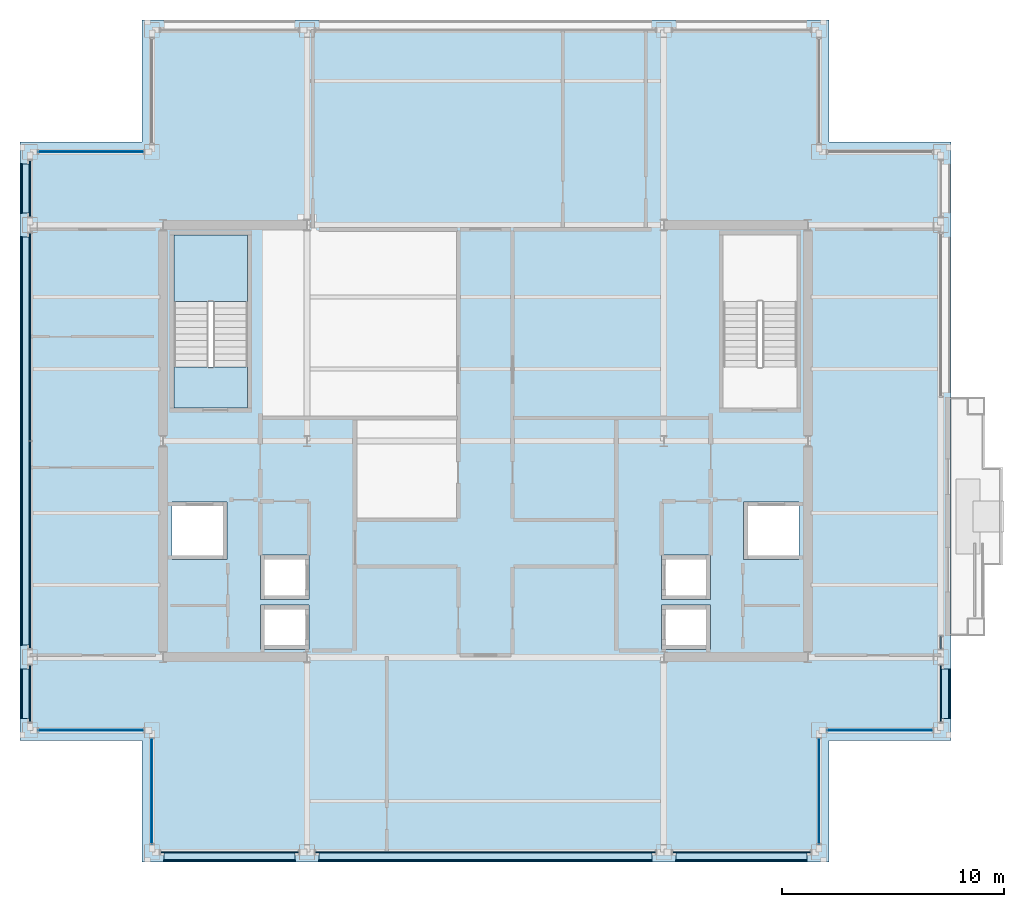
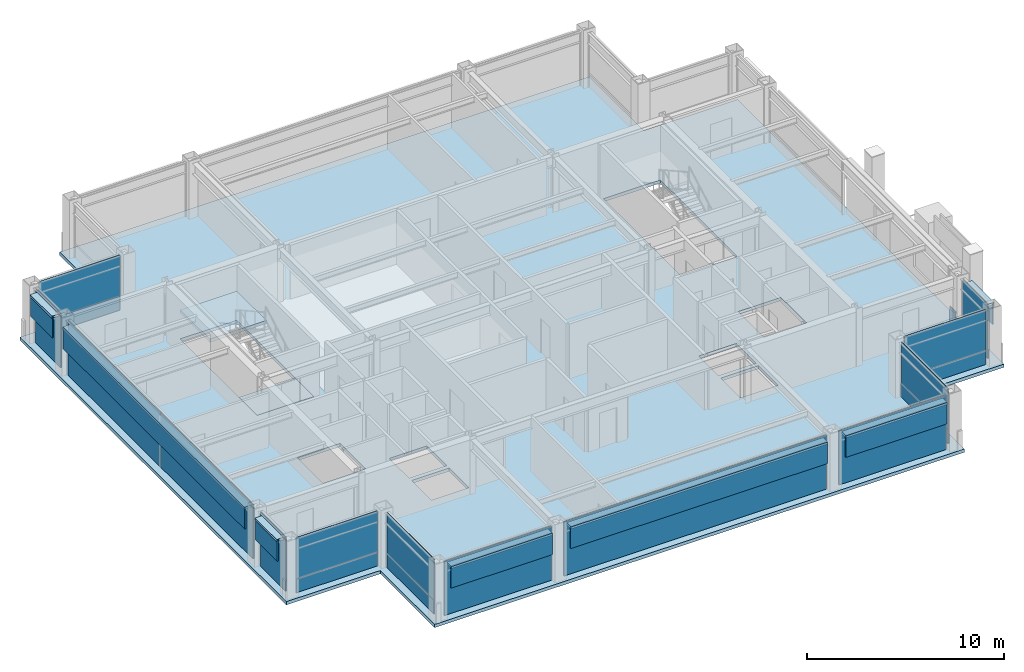
# One storey, part 22 of 28: 33 plates, 3 slabs, 1 member, 14 elements without a shape of their own.
"""IFC4 building model written with IfcOpenShell, lengths in metres."""

from ifc_helpers import new_model, si_unit, direction, frame, origin, origin_2d, place, context, subcontext, project, spatial, polyline, rectangle, hollow_rectangle, outline, extrude, material, layer, layer_set, material_profile, profile_set, type_object, element, aggregate, save


model = new_model("IFC4")

# Units and contexts
model_context = context("Model", 3, precision=1e-05, world=origin(), true_north=direction((0.0, 1.0)))
body_context = subcontext(model_context, "Body", "Model", "MODEL_VIEW")
ifc_project = project(units=[si_unit("LENGTHUNIT", "METRE"), si_unit("AREAUNIT", "SQUARE_METRE"), si_unit("VOLUMEUNIT", "CUBIC_METRE"), si_unit("PLANEANGLEUNIT", "RADIAN"), si_unit("MASSUNIT", "GRAM", prefix="KILO")], contexts=[model_context])

# Site, building, storey
site_placement = place(None, origin())
site = spatial("IfcSite", under=ifc_project, at=site_placement, CompositionType="ELEMENT")
building_placement = place(site_placement, origin())
building = spatial("IfcBuilding", under=site, at=building_placement, Name="Brelmoor Portico Tower", CompositionType="ELEMENT")
storey_placement = place(building_placement, frame((0.0, 0.0, 191.10009765625)))
storey = spatial("IfcBuildingStorey", under=building, at=storey_placement, Name="L50", CompositionType="ELEMENT", Elevation=191.10009765625)

# Curtain wall, member
ifc_material_1 = material(Name="Anodised Aluminium Alloy 6063-T6", Category="aluminium")
ifc_layer_1 = layer(ifc_material_1, 0.179931640625)
ifc_layer_set_1 = layer_set([ifc_layer_1], Name="Anodised Aluminium Alloy 6063-T6")
curtain_wall_type_1 = type_object("IfcCurtainWallType", Name="CW-TOWER-Z3", PredefinedType="NOTDEFINED", material=ifc_layer_set_1)
curtain_wall_1_placement = place(storey_placement, origin())
curtain_wall_1 = element("IfcCurtainWall", 1, at=curtain_wall_1_placement, inside=storey, type_object=curtain_wall_type_1, Name="L50 Curtain Wall CW-L50-4L-2", PredefinedType="NOTDEFINED")
ifc_material_profile = material_profile(ifc_material_1, hollow_rectangle(XDim=0.06005859375, YDim=0.125, WallThickness=0.00341796875, at=origin_2d()), Name="ALU TRANSOM 60x125")
ifc_profile_set = profile_set([ifc_material_profile], Name="Anodised Aluminium Alloy 6063-T6")
member_type = type_object("IfcMemberType", Name="MB-CW-TRAN-125", PredefinedType="USERDEFINED", material=ifc_profile_set)
member_placement = place(storey_placement, frame((20.550048828125, -9.389892578125, 0.849853515625), z_axis=(0.0, 1.0, 0.0), x_axis=(-1.0, 0.0, 0.0)))
member = element("IfcMember", 2, at=member_placement, type_object=member_type, Name="CW-L50-4L-2 Transom 1-00", ObjectType="TRANSOM", PredefinedType="USERDEFINED", context=body_context, shape_type="SweptSolid", body=[
    extrude(hollow_rectangle(XDim=0.06005859375, YDim=0.125, WallThickness=0.00341796875, at=origin_2d()), origin(), (0.0, 0.0, 1.0), 0.58984375),
])

# Curtain wall, plate
ifc_layer_2 = layer(ifc_material_1, 0.179931640625)
ifc_layer_set_2 = layer_set([ifc_layer_2], Name="Anodised Aluminium Alloy 6063-T6")
curtain_wall_type_2 = type_object("IfcCurtainWallType", Name="CW-NOTCH-CHAMFER", PredefinedType="NOTDEFINED", material=ifc_layer_set_2)
curtain_wall_2_placement = place(storey_placement, origin())
curtain_wall_2 = element("IfcCurtainWall", 3, at=curtain_wall_2_placement, inside=storey, type_object=curtain_wall_type_2, Name="L50 Curtain Wall CWN-L50-SWH", PredefinedType="NOTDEFINED")
ifc_material_2 = material(Name="Double-Silver Low-E Insulated Glazing", Category="glass")
ifc_layer_3 = layer(ifc_material_2, 0.035888671875)
ifc_layer_set_3 = layer_set([ifc_layer_3], Name="Double-Silver Low-E Insulated Glazing")
plate_type_1 = type_object("IfcPlateType", Name="PT-CW-GLASS", PredefinedType="CURTAIN_PANEL", material=ifc_layer_set_3)
plate_1_placement = place(storey_placement, frame((-17.800048828125, -13.050048828125, 0.85009765625), z_axis=(0.0, 0.0, 1.0), x_axis=(1.0, 0.0, 0.0)))
plate_1 = element("IfcPlate", 4, at=plate_1_placement, type_object=plate_type_1, Name="CWN-L50-SWH Vision Glass Panel 00", PredefinedType="CURTAIN_PANEL", context=body_context, shape_type="SweptSolid", body=[
    extrude(rectangle(XDim=4.75, YDim=0.035888671875, at=origin_2d()), origin(), (0.0, 0.0, 1.0), 2.550048828125),
])

curtain_wall_3_placement = place(storey_placement, origin())
curtain_wall_3 = element("IfcCurtainWall", 5, at=curtain_wall_3_placement, inside=storey, type_object=curtain_wall_type_2, Name="L50 Curtain Wall CWN-L50-SWV", PredefinedType="NOTDEFINED")
plate_2_placement = place(storey_placement, frame((-15.050048828125, -15.800048828125, 0.85009765625), z_axis=(0.0, 0.0, 1.0), x_axis=(0.0, 1.0, 0.0)))
plate_2 = element("IfcPlate", 6, at=plate_2_placement, type_object=plate_type_1, Name="CWN-L50-SWV Vision Glass Panel 00", PredefinedType="CURTAIN_PANEL", context=body_context, shape_type="SweptSolid", body=[
    extrude(rectangle(XDim=4.75, YDim=0.035888671875, at=origin_2d()), origin(), (0.0, 0.0, 1.0), 2.550048828125),
])

curtain_wall_4_placement = place(storey_placement, origin())
curtain_wall_4 = element("IfcCurtainWall", 7, at=curtain_wall_4_placement, inside=storey, type_object=curtain_wall_type_2, Name="L50 Curtain Wall CWN-L50-SEH", PredefinedType="NOTDEFINED")
plate_3_placement = place(storey_placement, frame((17.800048828125, -13.050048828125, 0.85009765625), z_axis=(0.0, 0.0, 1.0), x_axis=(1.0, 0.0, 0.0)))
plate_3 = element("IfcPlate", 8, at=plate_3_placement, type_object=plate_type_1, Name="CWN-L50-SEH Vision Glass Panel 00", PredefinedType="CURTAIN_PANEL", context=body_context, shape_type="SweptSolid", body=[
    extrude(rectangle(XDim=4.75, YDim=0.035888671875, at=origin_2d()), origin(), (0.0, 0.0, 1.0), 2.550048828125),
])

curtain_wall_5_placement = place(storey_placement, origin())
curtain_wall_5 = element("IfcCurtainWall", 9, at=curtain_wall_5_placement, inside=storey, type_object=curtain_wall_type_2, Name="L50 Curtain Wall CWN-L50-SEV", PredefinedType="NOTDEFINED")
plate_4_placement = place(storey_placement, frame((15.050048828125, -15.800048828125, 0.85009765625), z_axis=(0.0, 0.0, 1.0), x_axis=(0.0, 1.0, 0.0)))
plate_4 = element("IfcPlate", 10, at=plate_4_placement, type_object=plate_type_1, Name="CWN-L50-SEV Vision Glass Panel 00", PredefinedType="CURTAIN_PANEL", context=body_context, shape_type="SweptSolid", body=[
    extrude(rectangle(XDim=4.75, YDim=0.035888671875, at=origin_2d()), origin(), (0.0, 0.0, 1.0), 2.550048828125),
])

curtain_wall_6_placement = place(storey_placement, origin())
curtain_wall_6 = element("IfcCurtainWall", 11, at=curtain_wall_6_placement, inside=storey, type_object=curtain_wall_type_2, Name="L50 Curtain Wall CWN-L50-NWH", PredefinedType="NOTDEFINED")
plate_5_placement = place(storey_placement, frame((-17.800048828125, 13.050048828125, 0.85009765625), z_axis=(0.0, 0.0, 1.0), x_axis=(1.0, 0.0, 0.0)))
plate_5 = element("IfcPlate", 12, at=plate_5_placement, type_object=plate_type_1, Name="CWN-L50-NWH Vision Glass Panel 00", PredefinedType="CURTAIN_PANEL", context=body_context, shape_type="SweptSolid", body=[
    extrude(rectangle(XDim=4.75, YDim=0.035888671875, at=origin_2d()), origin(), (0.0, 0.0, 1.0), 2.550048828125),
])

ifc_layer_4 = layer(ifc_material_1, 0.179931640625)
ifc_layer_set_4 = layer_set([ifc_layer_4], Name="Anodised Aluminium Alloy 6063-T6")
curtain_wall_type_3 = type_object("IfcCurtainWallType", Name="CW-TOWER-Z3-XB", PredefinedType="NOTDEFINED", material=ifc_layer_set_4)
curtain_wall_7_placement = place(storey_placement, origin())
curtain_wall_7 = element("IfcCurtainWall", 13, at=curtain_wall_7_placement, inside=storey, type_object=curtain_wall_type_3, Name="L50 Curtain Wall CW-L50-01-1", PredefinedType="NOTDEFINED")
ifc_material_3 = material(Name="Pale Champagne Anodised Aluminium Panel", Category="aluminium")
ifc_layer_5 = layer(ifc_material_3, 0.050048828125)
ifc_layer_set_5 = layer_set([ifc_layer_5], Name="Pale Champagne Anodised Aluminium Panel")
plate_type_2 = type_object("IfcPlateType", Name="PT-CW-SPANDREL", PredefinedType="SHEET", material=ifc_layer_set_5)
plate_6_placement = place(storey_placement, frame((-11.550048828125, -18.550048828125, 0.0), z_axis=(0.0, 0.0, 1.0), x_axis=(1.0, 0.0, 0.0)))
plate_6 = element("IfcPlate", 14, at=plate_6_placement, type_object=plate_type_2, Name="CW-L50-01-1 Spandrel Panel 00", PredefinedType="SHEET", context=body_context, shape_type="SweptSolid", body=[
    extrude(rectangle(XDim=6.25, YDim=0.050048828125, at=origin_2d()), origin(), (0.0, 0.0, 1.0), 3.33740234375),
])
aggregate(curtain_wall_7, [plate_6])

curtain_wall_8_placement = place(storey_placement, origin())
curtain_wall_8 = element("IfcCurtainWall", 15, at=curtain_wall_8_placement, inside=storey, type_object=curtain_wall_type_3, Name="L50 Curtain Wall CW-L50-01-2", PredefinedType="NOTDEFINED")
plate_7_placement = place(storey_placement, frame((0.0, -18.550048828125, 0.0), z_axis=(0.0, 0.0, 1.0), x_axis=(1.0, 0.0, 0.0)))
plate_7 = element("IfcPlate", 16, at=plate_7_placement, type_object=plate_type_2, Name="CW-L50-01-2 Spandrel Panel 00", PredefinedType="SHEET", context=body_context, shape_type="SweptSolid", body=[
    extrude(rectangle(XDim=15.35009765625, YDim=0.050048828125, at=origin_2d()), origin(), (0.0, 0.0, 1.0), 3.33740234375),
])
aggregate(curtain_wall_8, [plate_7])

curtain_wall_9_placement = place(storey_placement, origin())
curtain_wall_9 = element("IfcCurtainWall", 17, at=curtain_wall_9_placement, inside=storey, type_object=curtain_wall_type_3, Name="L50 Curtain Wall CW-L50-01-3", PredefinedType="NOTDEFINED")
plate_8_placement = place(storey_placement, frame((11.550048828125, -18.550048828125, 0.0), z_axis=(0.0, 0.0, 1.0), x_axis=(1.0, 0.0, 0.0)))
plate_8 = element("IfcPlate", 18, at=plate_8_placement, type_object=plate_type_2, Name="CW-L50-01-3 Spandrel Panel 00", PredefinedType="SHEET", context=body_context, shape_type="SweptSolid", body=[
    extrude(rectangle(XDim=6.25, YDim=0.050048828125, at=origin_2d()), origin(), (0.0, 0.0, 1.0), 3.33740234375),
])
aggregate(curtain_wall_9, [plate_8])

curtain_wall_10_placement = place(storey_placement, origin())
curtain_wall_10 = element("IfcCurtainWall", 19, at=curtain_wall_10_placement, inside=storey, type_object=curtain_wall_type_3, Name="L50 Curtain Wall CW-L50-03-1", PredefinedType="NOTDEFINED")
plate_9_placement = place(storey_placement, frame((-20.550048828125, -11.39990234375, 0.0), z_axis=(0.0, 0.0, 1.0), x_axis=(0.0, 1.0, 0.0)))
plate_9 = element("IfcPlate", 20, at=plate_9_placement, type_object=plate_type_2, Name="CW-L50-03-1 Spandrel Panel 00", PredefinedType="SHEET", context=body_context, shape_type="SweptSolid", body=[
    extrude(rectangle(XDim=2.550048828125, YDim=0.050048828125, at=origin_2d()), origin(), (0.0, 0.0, 1.0), 3.33740234375),
])
aggregate(curtain_wall_10, [plate_9])

# Curtain wall, plates
curtain_wall_11_placement = place(storey_placement, origin())
curtain_wall_11 = element("IfcCurtainWall", 21, at=curtain_wall_11_placement, inside=storey, type_object=curtain_wall_type_3, Name="L50 Curtain Wall CW-L50-03-2", PredefinedType="NOTDEFINED")
plate_10_placement = place(storey_placement, frame((-20.550048828125, -4.695068359375, 0.0), z_axis=(0.0, 0.0, 1.0), x_axis=(0.0, 1.0, 0.0)))
plate_10 = element("IfcPlate", 22, at=plate_10_placement, type_object=plate_type_2, Name="CW-L50-03-2 Spandrel Panel 00", PredefinedType="SHEET", context=body_context, shape_type="SweptSolid", body=[
    extrude(rectangle(XDim=9.360107421875, YDim=0.050048828125, at=origin_2d()), origin(), (0.0, 0.0, 1.0), 3.33740234375),
])
plate_11_placement = place(storey_placement, frame((-20.550048828125, 4.695068359375, 0.0), z_axis=(0.0, 0.0, 1.0), x_axis=(0.0, 1.0, 0.0)))
plate_11 = element("IfcPlate", 23, at=plate_11_placement, type_object=plate_type_2, Name="CW-L50-03-2 Spandrel Panel 01", PredefinedType="SHEET", context=body_context, shape_type="SweptSolid", body=[
    extrude(rectangle(XDim=9.360107421875, YDim=0.050048828125, at=origin_2d()), origin(), (0.0, 0.0, 1.0), 3.33740234375),
])
aggregate(curtain_wall_11, [plate_10, plate_11])

# Curtain wall, plate
curtain_wall_12_placement = place(storey_placement, origin())
curtain_wall_12 = element("IfcCurtainWall", 24, at=curtain_wall_12_placement, inside=storey, type_object=curtain_wall_type_3, Name="L50 Curtain Wall CW-L50-03-3", PredefinedType="NOTDEFINED")
plate_12_placement = place(storey_placement, frame((-20.550048828125, 11.39990234375, 0.0), z_axis=(0.0, 0.0, 1.0), x_axis=(0.0, 1.0, 0.0)))
plate_12 = element("IfcPlate", 25, at=plate_12_placement, type_object=plate_type_2, Name="CW-L50-03-3 Spandrel Panel 00", PredefinedType="SHEET", context=body_context, shape_type="SweptSolid", body=[
    extrude(rectangle(XDim=2.550048828125, YDim=0.050048828125, at=origin_2d()), origin(), (0.0, 0.0, 1.0), 3.33740234375),
])
aggregate(curtain_wall_12, [plate_12])

curtain_wall_13_placement = place(storey_placement, origin())
curtain_wall_13 = element("IfcCurtainWall", 26, at=curtain_wall_13_placement, inside=storey, type_object=curtain_wall_type_3, Name="L50 Curtain Wall CW-L50-4L-1", PredefinedType="NOTDEFINED")
plate_13_placement = place(storey_placement, frame((20.550048828125, -11.39990234375, 0.0), z_axis=(0.0, 0.0, 1.0), x_axis=(0.0, 1.0, 0.0)))
plate_13 = element("IfcPlate", 27, at=plate_13_placement, type_object=plate_type_2, Name="CW-L50-4L-1 Spandrel Panel 00", PredefinedType="SHEET", context=body_context, shape_type="SweptSolid", body=[
    extrude(rectangle(XDim=2.550048828125, YDim=0.050048828125, at=origin_2d()), origin(), (0.0, 0.0, 1.0), 3.33740234375),
])
aggregate(curtain_wall_13, [plate_13])

# Plate
plate_14_placement = place(storey_placement, frame((20.550048828125, -9.094970703125, -0.000244140625), z_axis=(0.0, 0.0, 1.0), x_axis=(0.0, 1.0, 0.0)))
plate_14 = element("IfcPlate", 28, at=plate_14_placement, type_object=plate_type_2, Name="CW-L50-4L-2 Spandrel Panel 00", PredefinedType="SHEET", context=body_context, shape_type="SweptSolid", body=[
    extrude(rectangle(XDim=0.56005859375, YDim=0.050048828125, at=origin_2d()), origin(), (0.0, 0.0, 1.0), 0.85009765625),
])

aggregate(curtain_wall_1, [member, plate_14])

plate_15_placement = place(storey_placement, frame((-17.800048828125, -13.050048828125, -0.000244140625), z_axis=(0.0, 0.0, 1.0), x_axis=(1.0, 0.0, 0.0)))
plate_15 = element("IfcPlate", 29, at=plate_15_placement, type_object=plate_type_2, Name="CWN-L50-SWH Spandrel Panel 00", PredefinedType="SHEET", context=body_context, shape_type="SweptSolid", body=[
    extrude(rectangle(XDim=4.75, YDim=0.050048828125, at=origin_2d()), origin(), (0.0, 0.0, 1.0), 0.85009765625),
])

aggregate(curtain_wall_2, [plate_15, plate_1])

plate_16_placement = place(storey_placement, frame((-15.050048828125, -15.800048828125, -0.000244140625), z_axis=(0.0, 0.0, 1.0), x_axis=(0.0, 1.0, 0.0)))
plate_16 = element("IfcPlate", 30, at=plate_16_placement, type_object=plate_type_2, Name="CWN-L50-SWV Spandrel Panel 00", PredefinedType="SHEET", context=body_context, shape_type="SweptSolid", body=[
    extrude(rectangle(XDim=4.75, YDim=0.050048828125, at=origin_2d()), origin(), (0.0, 0.0, 1.0), 0.85009765625),
])

aggregate(curtain_wall_3, [plate_16, plate_2])

plate_17_placement = place(storey_placement, frame((17.800048828125, -13.050048828125, -0.000244140625), z_axis=(0.0, 0.0, 1.0), x_axis=(1.0, 0.0, 0.0)))
plate_17 = element("IfcPlate", 31, at=plate_17_placement, type_object=plate_type_2, Name="CWN-L50-SEH Spandrel Panel 00", PredefinedType="SHEET", context=body_context, shape_type="SweptSolid", body=[
    extrude(rectangle(XDim=4.75, YDim=0.050048828125, at=origin_2d()), origin(), (0.0, 0.0, 1.0), 0.85009765625),
])

aggregate(curtain_wall_4, [plate_17, plate_3])

plate_18_placement = place(storey_placement, frame((15.050048828125, -15.800048828125, -0.000244140625), z_axis=(0.0, 0.0, 1.0), x_axis=(0.0, 1.0, 0.0)))
plate_18 = element("IfcPlate", 32, at=plate_18_placement, type_object=plate_type_2, Name="CWN-L50-SEV Spandrel Panel 00", PredefinedType="SHEET", context=body_context, shape_type="SweptSolid", body=[
    extrude(rectangle(XDim=4.75, YDim=0.050048828125, at=origin_2d()), origin(), (0.0, 0.0, 1.0), 0.85009765625),
])

aggregate(curtain_wall_5, [plate_18, plate_4])

plate_19_placement = place(storey_placement, frame((-17.800048828125, 13.050048828125, -0.000244140625), z_axis=(0.0, 0.0, 1.0), x_axis=(1.0, 0.0, 0.0)))
plate_19 = element("IfcPlate", 33, at=plate_19_placement, type_object=plate_type_2, Name="CWN-L50-NWH Spandrel Panel 00", PredefinedType="SHEET", context=body_context, shape_type="SweptSolid", body=[
    extrude(rectangle(XDim=4.75, YDim=0.050048828125, at=origin_2d()), origin(), (0.0, 0.0, 1.0), 0.85009765625),
])

aggregate(curtain_wall_6, [plate_19, plate_5])

# Plates
ifc_material_4 = material(Name="Powder-Coated Aluminium Shuttered Jalousie Louvre", Category="aluminium")
ifc_layer_6 = layer(ifc_material_4, 0.06005859375)
ifc_layer_set_6 = layer_set([ifc_layer_6], Name="Powder-Coated Aluminium Shuttered Jalousie Louvre")
plate_type_3 = type_object("IfcPlateType", Name="PT-JALOUSIE-SHUTTER", PredefinedType="SHEET", material=ifc_layer_set_6)
plate_20_placement = place(storey_placement, frame((-11.550048828125, -18.929931640625, 1.8740234375), z_axis=(0.0, 0.0, 1.0), x_axis=(1.0, 0.0, 0.0)))
element("IfcPlate", 34, at=plate_20_placement, inside=storey, type_object=plate_type_3, Name="CW-L50-01-1 Perforated Jalousie Solar Screen", PredefinedType="SHEET", context=body_context, shape_type="SweptSolid", body=[
    extrude(rectangle(XDim=5.919921875, YDim=0.06494140625, at=origin_2d()), origin(), (0.0, 0.0, 1.0), 1.325927734375),
])
plate_21_placement = place(storey_placement, frame((0.0, -18.929931640625, 1.8740234375), z_axis=(0.0, 0.0, 1.0), x_axis=(1.0, 0.0, 0.0)))
element("IfcPlate", 35, at=plate_21_placement, inside=storey, type_object=plate_type_3, Name="CW-L50-01-2 Perforated Jalousie Solar Screen", PredefinedType="SHEET", context=body_context, shape_type="SweptSolid", body=[
    extrude(rectangle(XDim=15.02001953125, YDim=0.06494140625, at=origin_2d()), origin(), (0.0, 0.0, 1.0), 1.325927734375),
])
plate_22_placement = place(storey_placement, frame((11.550048828125, -18.929931640625, 1.8740234375), z_axis=(0.0, 0.0, 1.0), x_axis=(1.0, 0.0, 0.0)))
element("IfcPlate", 36, at=plate_22_placement, inside=storey, type_object=plate_type_3, Name="CW-L50-01-3 Perforated Jalousie Solar Screen", PredefinedType="SHEET", context=body_context, shape_type="SweptSolid", body=[
    extrude(rectangle(XDim=5.919921875, YDim=0.06494140625, at=origin_2d()), origin(), (0.0, 0.0, 1.0), 1.325927734375),
])
plate_23_placement = place(storey_placement, frame((-20.929931640625, -11.39990234375, 1.8740234375), z_axis=(0.0, 0.0, 1.0), x_axis=(0.0, 1.0, 0.0)))
element("IfcPlate", 37, at=plate_23_placement, inside=storey, type_object=plate_type_3, Name="CW-L50-03-1 Perforated Jalousie Solar Screen", PredefinedType="SHEET", context=body_context, shape_type="SweptSolid", body=[
    extrude(rectangle(XDim=2.219970703125, YDim=0.06494140625, at=origin_2d()), origin(), (0.0, 0.0, 1.0), 1.325927734375),
])
plate_24_placement = place(storey_placement, frame((-20.929931640625, 0.0, 1.8740234375), z_axis=(0.0, 0.0, 1.0), x_axis=(0.0, 1.0, 0.0)))
element("IfcPlate", 38, at=plate_24_placement, inside=storey, type_object=plate_type_3, Name="CW-L50-03-2 Perforated Jalousie Solar Screen", PredefinedType="SHEET", context=body_context, shape_type="SweptSolid", body=[
    extrude(rectangle(XDim=18.419921875, YDim=0.06494140625, at=origin_2d()), origin(), (0.0, 0.0, 1.0), 1.325927734375),
])
for number, where, z_axis, x_axis, name in (
    (39, (-20.929931640625, 11.39990234375, 1.8740234375), (0.0, 0.0, 1.0), (0.0, 1.0, 0.0), "CW-L50-03-3 Perforated Jalousie Solar Screen"),
    (40, (20.929931640625, -11.39990234375, 1.8740234375), (0.0, 0.0, 1.0), (0.0, 1.0, 0.0), "CW-L50-4L-1 Perforated Jalousie Solar Screen"),
):
    element("IfcPlate", number, at=place(storey_placement, frame(where, z_axis=z_axis, x_axis=x_axis)), inside=storey, type_object=plate_type_3, Name=name, PredefinedType="SHEET", context=body_context, shape_type="SweptSolid", body=[
        extrude(rectangle(XDim=2.219970703125, YDim=0.06494140625, at=origin_2d()), origin(), (0.0, 0.0, 1.0), 1.325927734375),
    ])
ifc_material_5 = material(Name="Pale Champagne Perforated Aluminium Solar Screen", Category="aluminium")
ifc_layer_7 = layer(ifc_material_5, 0.054931640625)
ifc_layer_set_7 = layer_set([ifc_layer_7], Name="Pale Champagne Perforated Aluminium Solar Screen")
plate_type_4 = type_object("IfcPlateType", Name="PT-SOLAR-LOUVRE", PredefinedType="SHEET", material=ifc_layer_set_7)
plate_25_placement = place(storey_placement, frame((-11.550048828125, -18.760009765625, 3.08984375), z_axis=(0.0, 0.0, 1.0), x_axis=(1.0, 0.0, 0.0)))
element("IfcPlate", 41, at=plate_25_placement, inside=storey, type_object=plate_type_4, Name="CW-L50-01-1 Caribbean Brise-Soleil Solar Screen", PredefinedType="SHEET", context=body_context, shape_type="SweptSolid", body=[
    extrude(rectangle(XDim=5.919921875, YDim=0.4599609375, at=origin_2d()), origin(), (0.0, 0.0, 1.0), 0.139892578125),
])
plate_26_placement = place(storey_placement, frame((0.0, -18.760009765625, 3.08984375), z_axis=(0.0, 0.0, 1.0), x_axis=(1.0, 0.0, 0.0)))
element("IfcPlate", 42, at=plate_26_placement, inside=storey, type_object=plate_type_4, Name="CW-L50-01-2 Caribbean Brise-Soleil Solar Screen", PredefinedType="SHEET", context=body_context, shape_type="SweptSolid", body=[
    extrude(rectangle(XDim=15.02001953125, YDim=0.4599609375, at=origin_2d()), origin(), (0.0, 0.0, 1.0), 0.139892578125),
])
plate_27_placement = place(storey_placement, frame((11.550048828125, -18.760009765625, 3.08984375), z_axis=(0.0, 0.0, 1.0), x_axis=(1.0, 0.0, 0.0)))
element("IfcPlate", 43, at=plate_27_placement, inside=storey, type_object=plate_type_4, Name="CW-L50-01-3 Caribbean Brise-Soleil Solar Screen", PredefinedType="SHEET", context=body_context, shape_type="SweptSolid", body=[
    extrude(rectangle(XDim=5.919921875, YDim=0.4599609375, at=origin_2d()), origin(), (0.0, 0.0, 1.0), 0.139892578125),
])
plate_28_placement = place(storey_placement, frame((-20.760009765625, -11.39990234375, 3.08984375), z_axis=(0.0, 0.0, 1.0), x_axis=(0.0, 1.0, 0.0)))
element("IfcPlate", 44, at=plate_28_placement, inside=storey, type_object=plate_type_4, Name="CW-L50-03-1 Caribbean Brise-Soleil Solar Screen", PredefinedType="SHEET", context=body_context, shape_type="SweptSolid", body=[
    extrude(rectangle(XDim=2.219970703125, YDim=0.4599609375, at=origin_2d()), origin(), (0.0, 0.0, 1.0), 0.139892578125),
])
plate_29_placement = place(storey_placement, frame((-20.760009765625, 0.0, 3.08984375), z_axis=(0.0, 0.0, 1.0), x_axis=(0.0, 1.0, 0.0)))
element("IfcPlate", 45, at=plate_29_placement, inside=storey, type_object=plate_type_4, Name="CW-L50-03-2 Caribbean Brise-Soleil Solar Screen", PredefinedType="SHEET", context=body_context, shape_type="SweptSolid", body=[
    extrude(rectangle(XDim=18.419921875, YDim=0.4599609375, at=origin_2d()), origin(), (0.0, 0.0, 1.0), 0.139892578125),
])
for number, where, z_axis, x_axis, name in (
    (46, (-20.760009765625, 11.39990234375, 3.08984375), (0.0, 0.0, 1.0), (0.0, 1.0, 0.0), "CW-L50-03-3 Caribbean Brise-Soleil Solar Screen"),
    (47, (20.760009765625, -11.39990234375, 3.08984375), (0.0, 0.0, 1.0), (0.0, 1.0, 0.0), "CW-L50-4L-1 Caribbean Brise-Soleil Solar Screen"),
):
    element("IfcPlate", number, at=place(storey_placement, frame(where, z_axis=z_axis, x_axis=x_axis)), inside=storey, type_object=plate_type_4, Name=name, PredefinedType="SHEET", context=body_context, shape_type="SweptSolid", body=[
        extrude(rectangle(XDim=2.219970703125, YDim=0.4599609375, at=origin_2d()), origin(), (0.0, 0.0, 1.0), 0.139892578125),
    ])

# Slab
ifc_material_6 = material(Name="Concrete C40", Category="concrete")
ifc_layer_8 = layer(ifc_material_6, 0.199951171875)
ifc_layer_set_8 = layer_set([ifc_layer_8], Name="Concrete C40")
slab_type_1 = type_object("IfcSlabType", Name="SL-FLOOR-200", PredefinedType="FLOOR", material=ifc_layer_set_8)
slab_1_placement = place(storey_placement, frame((0.0, 0.0, -0.2001953125)))
element("IfcSlab", 48, at=slab_1_placement, inside=storey, type_object=slab_type_1, Name="L50 Main Structural Floor Slab", PredefinedType="FLOOR", context=body_context, shape_type="SweptSolid", body=[
    extrude(outline(polyline([(-15.5, -19.0), (15.5, -19.0), (15.5, -13.5), (21.0, -13.5), (21.0, 13.5), (15.5, 13.5), (15.5, 19.0), (-15.5, 19.0), (-15.5, 13.5), (-21.0, 13.5), (-21.0, -13.5), (-15.5, -13.5), (-15.5, -19.0)]), holes=[polyline([(-10.72998046875, 1.5), (-10.72998046875, 9.300048828125), (-14.050048828125, 9.300048828125), (-14.050048828125, 1.5), (-10.72998046875, 1.5)]), polyline([(14.050048828125, 1.5), (14.050048828125, 9.300048828125), (10.72998046875, 9.300048828125), (10.72998046875, 1.5), (14.050048828125, 1.5)]), polyline([(-10.14990234375, -9.39990234375), (-7.949951171875, -9.39990234375), (-7.949951171875, -7.39990234375), (-10.14990234375, -7.39990234375), (-10.14990234375, -9.39990234375)]), polyline([(-10.14990234375, -7.14990234375), (-7.949951171875, -7.14990234375), (-7.949951171875, -5.14990234375), (-10.14990234375, -5.14990234375), (-10.14990234375, -7.14990234375)]), polyline([(7.949951171875, -9.39990234375), (10.14990234375, -9.39990234375), (10.14990234375, -7.39990234375), (7.949951171875, -7.39990234375), (7.949951171875, -9.39990234375)]), polyline([(7.949951171875, -7.14990234375), (10.14990234375, -7.14990234375), (10.14990234375, -5.14990234375), (7.949951171875, -5.14990234375), (7.949951171875, -7.14990234375)]), polyline([(-14.14990234375, -5.35009765625), (-11.64990234375, -5.35009765625), (-11.64990234375, -2.75), (-14.14990234375, -2.75), (-14.14990234375, -5.35009765625)]), polyline([(11.64990234375, -5.35009765625), (14.14990234375, -5.35009765625), (14.14990234375, -2.75), (11.64990234375, -2.75), (11.64990234375, -5.35009765625)])]), origin(), (0.0, 0.0, 1.0), 0.2001953125),
])

# Stair, slab
stair_type = type_object("IfcStairType", Name="ST-CORE-W", PredefinedType="HALF_TURN_STAIR", material=ifc_material_6)
stair_placement = place(storey_placement, origin())
stair = element("IfcStair", 49, at=stair_placement, inside=storey, type_object=stair_type, Name="L50 Protected Core Exit Stair ST-W", PredefinedType="HALF_TURN_STAIR")
ifc_layer_9 = layer(ifc_material_6, 0.179931640625)
ifc_layer_set_9 = layer_set([ifc_layer_9], Name="Concrete C40")
slab_type_2 = type_object("IfcSlabType", Name="SL-LANDING-180", PredefinedType="LANDING", material=ifc_layer_set_9)
slab_2_placement = place(storey_placement, frame((0.0, 0.0, 1.599853515625)))
slab_2 = element("IfcSlab", 50, at=slab_2_placement, type_object=slab_type_2, Name="ST-W landing 1", PredefinedType="LANDING", context=body_context, shape_type="SweptSolid", body=[
    extrude(outline(polyline([(-10.72998046875, 6.300048828125), (-10.72998046875, 9.300048828125), (-14.050048828125, 9.300048828125), (-14.050048828125, 6.300048828125), (-10.72998046875, 6.300048828125)])), origin(), (0.0, 0.0, 1.0), 0.199951171875),
])
aggregate(stair, [slab_2])

# Slab
ifc_layer_10 = layer(ifc_material_6, 0.199951171875)
ifc_layer_set_10 = layer_set([ifc_layer_10], Name="Concrete C40")
slab_type_3 = type_object("IfcSlabType", Name="SL-STAIR-FL200", PredefinedType="LANDING", material=ifc_layer_set_10)
slab_3_placement = place(storey_placement, frame((0.0, 0.0, -0.2001953125)))
element("IfcSlab", 51, at=slab_3_placement, inside=storey, type_object=slab_type_3, Name="L50 ST-W Structural Floor Landing Slab", PredefinedType="LANDING", context=body_context, shape_type="SweptSolid", body=[
    extrude(outline(polyline([(-10.72998046875, 1.5), (-10.72998046875, 3.35009765625), (-14.050048828125, 3.35009765625), (-14.050048828125, 1.5), (-10.72998046875, 1.5)])), origin(), (0.0, 0.0, 1.0), 0.2001953125),
])

save(model, "model.ifc")
